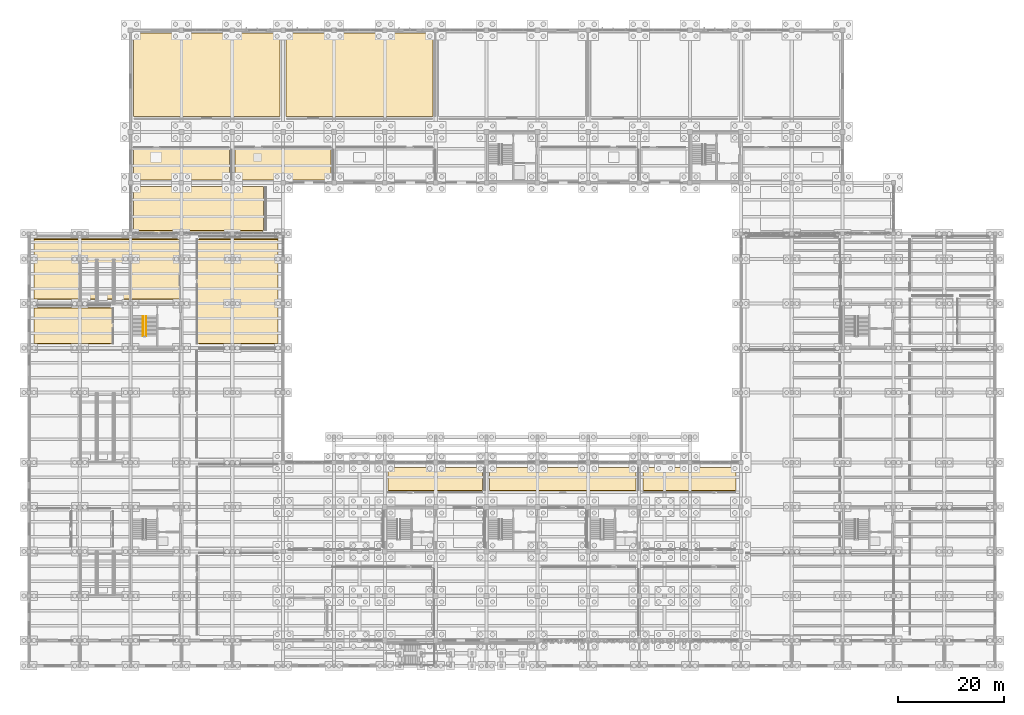
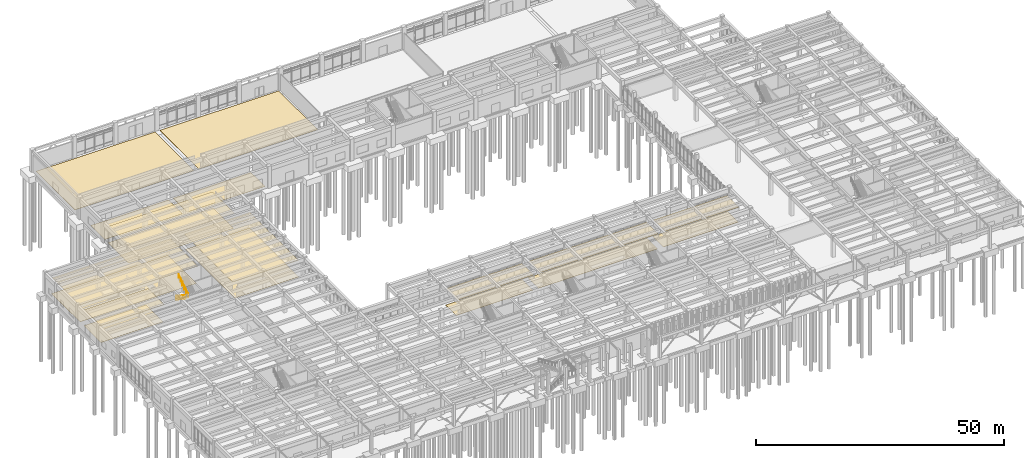
# One storey, part 93 of 102: 18 coverings, 2 railings.
"""IFC4 building model written with IfcOpenShell, lengths in metres."""

from ifc_helpers import new_model, si_unit, direction, frame, origin, origin_2d, place, context, subcontext, project, spatial, polyline, circle, outline, extrude, material, layer, layer_set, type_object, element, save


model = new_model("IFC4")

# Units and contexts
model_context = context("Model", 3, precision=1e-05, world=origin(), true_north=direction((0.0, 1.0)))
body_context = subcontext(model_context, "Body", "Model", "MODEL_VIEW")
ifc_project = project(units=[si_unit("LENGTHUNIT", "METRE"), si_unit("AREAUNIT", "SQUARE_METRE"), si_unit("VOLUMEUNIT", "CUBIC_METRE"), si_unit("PLANEANGLEUNIT", "RADIAN"), si_unit("MASSUNIT", "GRAM", prefix="KILO")], contexts=[model_context])

# Site, building, storey
site_placement = place(None, origin())
site = spatial("IfcSite", under=ifc_project, at=site_placement, CompositionType="ELEMENT")
building_placement = place(site_placement, origin())
building = spatial("IfcBuilding", under=site, at=building_placement, Name="Kolvemor Railside Polytechnic", CompositionType="ELEMENT")
storey_placement = place(building_placement, origin())
storey = spatial("IfcBuildingStorey", under=building, at=storey_placement, Name="L00", CompositionType="ELEMENT", Elevation=0.0)

# Coverings
ifc_material_1 = material(Name="Perforated acoustic mineral-fibre and timber-slat ceiling", Category="wood")
ifc_layer_1 = layer(ifc_material_1, 0.02490234375, Name="COV-CEIL-1")
ifc_layer_set_1 = layer_set([ifc_layer_1], Name="Perforated acoustic mineral-fibre and timber-slat ceiling")
covering_type_1 = type_object("IfcCoveringType", Name="COV-CEIL-1", PredefinedType="CEILING", material=ifc_layer_set_1)
covering_1_placement = place(storey_placement, frame((0.0, 0.0, 4.014892578125)))
element("IfcCovering", 1, at=covering_1_placement, inside=storey, type_object=covering_type_1, Name="Concrete and Soils Materials Laboratory Acoustic Ceiling", PredefinedType="CEILING", context=body_context, shape_type="SweptSolid", body=[
    extrude(outline(polyline([(19.8798828125, 81.719970703125), (44.1201171875, 81.719970703125), (44.1201171875, 90.449951171875), (19.8798828125, 90.449951171875), (19.8798828125, 81.719970703125)])), origin(), (0.0, 0.0, 1.0), 0.025146484375),
])
covering_2_placement = place(storey_placement, frame((0.0, 0.0, 4.014892578125)))
element("IfcCovering", 2, at=covering_2_placement, inside=storey, type_object=covering_type_1, Name="Lecture Theatre LT-3 Acoustic Ceiling", PredefinedType="CEILING", context=body_context, shape_type="SweptSolid", body=[
    extrude(outline(polyline([(0.949951171875, 69.280029296875), (28.47998046875, 69.280029296875), (28.47998046875, 80.52001953125), (0.949951171875, 80.52001953125), (0.949951171875, 69.280029296875)])), origin(), (0.0, 0.0, 1.0), 0.025146484375),
])
ifc_material_2 = material(Name="Perforated acoustic mineral-fibre and timber-slat ceiling", Category="wood")
ifc_layer_2 = layer(ifc_material_2, 0.030029296875, Name="COV-CEIL-2")
ifc_layer_set_2 = layer_set([ifc_layer_2], Name="Perforated acoustic mineral-fibre and timber-slat ceiling")
covering_type_2 = type_object("IfcCoveringType", Name="COV-CEIL-2", PredefinedType="CEILING", material=ifc_layer_set_2)
covering_3_placement = place(storey_placement, frame((0.0, 0.0, 4.010009765625)))
element("IfcCovering", 3, at=covering_3_placement, inside=storey, type_object=covering_type_2, Name="Metrology and Calibration Laboratory Acoustic Ceiling", PredefinedType="CEILING", context=body_context, shape_type="SweptSolid", body=[
    extrude(outline(polyline([(67.8798828125, 32.719970703125), (85.52001953125, 32.719970703125), (85.52001953125, 37.449951171875), (67.8798828125, 37.449951171875), (67.8798828125, 32.719970703125)])), origin(), (0.0, 0.0, 1.0), 0.030029296875),
])
ifc_material_3 = material(Name="Perforated acoustic mineral-fibre and timber-slat ceiling", Category="wood")
ifc_layer_3 = layer(ifc_material_3, 0.034912109375, Name="COV-CEIL-3")
ifc_layer_set_3 = layer_set([ifc_layer_3], Name="Perforated acoustic mineral-fibre and timber-slat ceiling")
covering_type_3 = type_object("IfcCoveringType", Name="COV-CEIL-3", PredefinedType="CEILING", material=ifc_layer_set_3)
covering_4_placement = place(storey_placement, frame((0.0, 0.0, 4.0048828125)))
element("IfcCovering", 4, at=covering_4_placement, inside=storey, type_object=covering_type_3, Name="North Lecture Staff WC L00 Acoustic Ceiling", PredefinedType="CEILING", context=body_context, shape_type="SweptSolid", body=[
    extrude(outline(polyline([(0.949951171875, 60.8798828125), (15.8798828125, 60.8798828125), (15.8798828125, 67.52001953125), (0.949951171875, 67.52001953125), (0.949951171875, 60.8798828125)])), origin(), (0.0, 0.0, 1.0), 0.03515625),
])
covering_5_placement = place(storey_placement, frame((0.0, 0.0, 4.0048828125)))
element("IfcCovering", 5, at=covering_5_placement, inside=storey, type_object=covering_type_3, Name="Exhibition and Critique Design Studio Acoustic Ceiling", PredefinedType="CEILING", context=body_context, shape_type="SweptSolid", body=[
    extrude(outline(polyline([(87.080078125, 32.719970703125), (114.52001953125, 32.719970703125), (114.52001953125, 37.449951171875), (87.080078125, 37.449951171875), (87.080078125, 32.719970703125)])), origin(), (0.0, 0.0, 1.0), 0.03515625),
])
ifc_material_4 = material(Name="Perforated acoustic mineral-fibre and timber-slat ceiling", Category="wood")
ifc_layer_4 = layer(ifc_material_4, 0.0400390625, Name="COV-CEIL-4")
ifc_layer_set_4 = layer_set([ifc_layer_4], Name="Perforated acoustic mineral-fibre and timber-slat ceiling")
covering_type_4 = type_object("IfcCoveringType", Name="COV-CEIL-4", PredefinedType="CEILING", material=ifc_layer_set_4)
covering_6_placement = place(storey_placement, frame((0.0, 0.0, 4.0)))
element("IfcCovering", 6, at=covering_6_placement, inside=storey, type_object=covering_type_4, Name="Audiovisual Control and Academic Support Room Acoustic Ceiling", PredefinedType="CEILING", context=body_context, shape_type="SweptSolid", body=[
    extrude(outline(polyline([(31.719970703125, 60.8798828125), (47.050048828125, 60.8798828125), (47.050048828125, 80.52001953125), (31.719970703125, 80.52001953125), (31.719970703125, 60.8798828125)])), origin(), (0.0, 0.0, 1.0), 0.0400390625),
])
covering_7_placement = place(storey_placement, frame((0.0, 0.0, 4.0)))
element("IfcCovering", 7, at=covering_7_placement, inside=storey, type_object=covering_type_4, Name="Campus Security and First Aid Suite Acoustic Ceiling", PredefinedType="CEILING", context=body_context, shape_type="SweptSolid", body=[
    extrude(outline(polyline([(116.080078125, 32.719970703125), (133.320068359375, 32.719970703125), (133.320068359375, 37.449951171875), (116.080078125, 37.449951171875), (116.080078125, 32.719970703125)])), origin(), (0.0, 0.0, 1.0), 0.0400390625),
])
ifc_material_5 = material(Name="Polished coral-aggregate terrazzo and laboratory epoxy flooring")
ifc_layer_5 = layer(ifc_material_5, 0.02001953125, Name="COV-FLR-1")
ifc_layer_set_5 = layer_set([ifc_layer_5], Name="Polished coral-aggregate terrazzo and laboratory epoxy flooring")
covering_type_5 = type_object("IfcCoveringType", Name="COV-FLR-1", PredefinedType="FLOORING", material=ifc_layer_set_5)
covering_8_placement = place(storey_placement, origin())
element("IfcCovering", 8, at=covering_8_placement, inside=storey, type_object=covering_type_5, Name="Concrete and Soils Materials Laboratory Floor Finish", PredefinedType="FLOORING", context=body_context, shape_type="SweptSolid", body=[
    extrude(outline(polyline([(19.75, 82.14990234375), (44.25, 82.14990234375), (44.25, 90.449951171875), (19.75, 90.449951171875), (19.75, 82.14990234375)])), origin(), (0.0, 0.0, 1.0), 0.02001953125),
])
covering_9_placement = place(storey_placement, origin())
element("IfcCovering", 9, at=covering_9_placement, inside=storey, type_object=covering_type_5, Name="Lecture Theatre LT-3 Floor Finish", PredefinedType="FLOORING", context=body_context, shape_type="SweptSolid", body=[
    extrude(outline(polyline([(0.949951171875, 69.14990234375), (28.050048828125, 69.14990234375), (28.050048828125, 80.64990234375), (0.949951171875, 80.64990234375), (0.949951171875, 69.14990234375)])), origin(), (0.0, 0.0, 1.0), 0.02001953125),
])
ifc_material_6 = material(Name="Polished coral-aggregate terrazzo and laboratory epoxy flooring")
ifc_layer_6 = layer(ifc_material_6, 0.02490234375, Name="COV-FLR-2")
ifc_layer_set_6 = layer_set([ifc_layer_6], Name="Polished coral-aggregate terrazzo and laboratory epoxy flooring")
covering_type_6 = type_object("IfcCoveringType", Name="COV-FLR-2", PredefinedType="FLOORING", material=ifc_layer_set_6)
covering_10_placement = place(storey_placement, origin())
element("IfcCovering", 10, at=covering_10_placement, inside=storey, type_object=covering_type_6, Name="Heavy Machining Engineering Workshop Floor Finish", PredefinedType="FLOORING", context=body_context, shape_type="SweptSolid", body=[
    extrude(outline(polyline([(19.75, 103.75), (47.449951171875, 103.75), (47.449951171875, 119.449951171875), (19.75, 119.449951171875), (19.75, 103.75)])), origin(), (0.0, 0.0, 1.0), 0.02490234375),
])
covering_11_placement = place(storey_placement, origin())
element("IfcCovering", 11, at=covering_11_placement, inside=storey, type_object=covering_type_6, Name="Metrology and Calibration Laboratory Floor Finish", PredefinedType="FLOORING", context=body_context, shape_type="SweptSolid", body=[
    extrude(outline(polyline([(67.75, 33.14990234375), (85.64990234375, 33.14990234375), (85.64990234375, 37.449951171875), (67.75, 37.449951171875), (67.75, 33.14990234375)])), origin(), (0.0, 0.0, 1.0), 0.02490234375),
])
ifc_material_7 = material(Name="Polished coral-aggregate terrazzo and laboratory epoxy flooring")
ifc_layer_7 = layer(ifc_material_7, 0.030029296875, Name="COV-FLR-3")
ifc_layer_set_7 = layer_set([ifc_layer_7], Name="Polished coral-aggregate terrazzo and laboratory epoxy flooring")
covering_type_7 = type_object("IfcCoveringType", Name="COV-FLR-3", PredefinedType="FLOORING", material=ifc_layer_set_7)
covering_12_placement = place(storey_placement, origin())
element("IfcCovering", 12, at=covering_12_placement, inside=storey, type_object=covering_type_7, Name="Marine Propulsion Engineering Workshop Floor Finish", PredefinedType="FLOORING", context=body_context, shape_type="SweptSolid", body=[
    extrude(outline(polyline([(48.550048828125, 103.75), (76.25, 103.75), (76.25, 119.449951171875), (48.550048828125, 119.449951171875), (48.550048828125, 103.75)])), origin(), (0.0, 0.0, 1.0), 0.030029296875),
])
covering_13_placement = place(storey_placement, origin())
element("IfcCovering", 13, at=covering_13_placement, inside=storey, type_object=covering_type_7, Name="Workshop Tool and Bar-Stock Store Floor Finish", PredefinedType="FLOORING", context=body_context, shape_type="SweptSolid", body=[
    extrude(outline(polyline([(19.75, 91.75), (37.85009765625, 91.75), (37.85009765625, 97.449951171875), (19.75, 97.449951171875), (19.75, 91.75)])), origin(), (0.0, 0.0, 1.0), 0.030029296875),
])
covering_14_placement = place(storey_placement, origin())
element("IfcCovering", 14, at=covering_14_placement, inside=storey, type_object=covering_type_7, Name="North Lecture Staff WC L00 Floor Finish", PredefinedType="FLOORING", context=body_context, shape_type="SweptSolid", body=[
    extrude(outline(polyline([(0.949951171875, 60.75), (15.449951171875, 60.75), (15.449951171875, 67.64990234375), (0.949951171875, 67.64990234375), (0.949951171875, 60.75)])), origin(), (0.0, 0.0, 1.0), 0.030029296875),
])
covering_15_placement = place(storey_placement, origin())
element("IfcCovering", 15, at=covering_15_placement, inside=storey, type_object=covering_type_7, Name="Exhibition and Critique Design Studio Floor Finish", PredefinedType="FLOORING", context=body_context, shape_type="SweptSolid", body=[
    extrude(outline(polyline([(86.949951171875, 33.14990234375), (114.64990234375, 33.14990234375), (114.64990234375, 37.449951171875), (86.949951171875, 37.449951171875), (86.949951171875, 33.14990234375)])), origin(), (0.0, 0.0, 1.0), 0.030029296875),
])
ifc_material_8 = material(Name="Polished coral-aggregate terrazzo and laboratory epoxy flooring")
ifc_layer_8 = layer(ifc_material_8, 0.034912109375, Name="COV-FLR-4")
ifc_layer_set_8 = layer_set([ifc_layer_8], Name="Polished coral-aggregate terrazzo and laboratory epoxy flooring")
covering_type_8 = type_object("IfcCoveringType", Name="COV-FLR-4", PredefinedType="FLOORING", material=ifc_layer_set_8)
covering_16_placement = place(storey_placement, origin())
element("IfcCovering", 16, at=covering_16_placement, inside=storey, type_object=covering_type_8, Name="Central Chiller Mechanical Plant Floor Finish", PredefinedType="FLOORING", context=body_context, shape_type="SweptSolid", body=[
    extrude(outline(polyline([(38.949951171875, 91.75), (57.050048828125, 91.75), (57.050048828125, 97.449951171875), (38.949951171875, 97.449951171875), (38.949951171875, 91.75)])), origin(), (0.0, 0.0, 1.0), 0.034912109375),
])
covering_17_placement = place(storey_placement, origin())
element("IfcCovering", 17, at=covering_17_placement, inside=storey, type_object=covering_type_8, Name="Audiovisual Control and Academic Support Room Floor Finish", PredefinedType="FLOORING", context=body_context, shape_type="SweptSolid", body=[
    extrude(outline(polyline([(32.14990234375, 60.75), (47.050048828125, 60.75), (47.050048828125, 80.64990234375), (32.14990234375, 80.64990234375), (32.14990234375, 60.75)])), origin(), (0.0, 0.0, 1.0), 0.034912109375),
])
covering_18_placement = place(storey_placement, origin())
element("IfcCovering", 18, at=covering_18_placement, inside=storey, type_object=covering_type_8, Name="Campus Security and First Aid Suite Floor Finish", PredefinedType="FLOORING", context=body_context, shape_type="SweptSolid", body=[
    extrude(outline(polyline([(115.949951171875, 33.14990234375), (133.449951171875, 33.14990234375), (133.449951171875, 37.449951171875), (115.949951171875, 37.449951171875), (115.949951171875, 33.14990234375)])), origin(), (0.0, 0.0, 1.0), 0.034912109375),
])

# Railings
ifc_material_9 = material(Name="Brushed AISI 316 stainless-steel stair handrail", Category="steel")
railing_type = type_object("IfcRailingType", Name="RLG-HANDRAIL-920", PredefinedType="HANDRAIL", material=ifc_material_9)
railing_1_placement = place(storey_placement, frame((21.5400390625, 66.02001953125, 0.168701171875)))
element("IfcRailing", 19, at=railing_1_placement, inside=storey, type_object=railing_type, Name="ST-5 Flight 1 Handrail L00", PredefinedType="HANDRAIL", context=body_context, shape_type="SweptSolid", body=[
    extrude(circle(Radius=0.02392578125, at=origin_2d()), frame((0.0, -0.045654296875, 0.926513671875), z_axis=(0.0, -0.830909170722, 0.55640807867), x_axis=(1.0, 0.0, 0.0)), (0.0, 0.0, 1.0), 4.439208984375),
    extrude(circle(Radius=0.02099609375, at=origin_2d()), origin(), (0.0, 0.0, 1.0), 0.85693359375),
    extrude(circle(Radius=0.02099609375, at=origin_2d()), frame((0.0, -0.756103515625, 0.50634765625)), (0.0, 0.0, 1.0), 0.85693359375),
    extrude(circle(Radius=0.02099609375, at=origin_2d()), frame((0.0, -1.511962890625, 1.012451171875)), (0.0, 0.0, 1.0), 0.85693359375),
    extrude(circle(Radius=0.02099609375, at=origin_2d()), frame((0.0, -2.26806640625, 1.518798828125)), (0.0, 0.0, 1.0), 0.85693359375),
    extrude(circle(Radius=0.02099609375, at=origin_2d()), frame((0.0, -3.02392578125, 2.02490234375)), (0.0, 0.0, 1.0), 0.85693359375),
    extrude(circle(Radius=0.02099609375, at=origin_2d()), frame((0.0, -3.780029296875, 2.53125)), (0.0, 0.0, 1.0), 0.85693359375),
])
railing_2_placement = place(storey_placement, frame((22.1201171875, 62.239990234375, 2.86865234375)))
element("IfcRailing", 20, at=railing_2_placement, inside=storey, type_object=railing_type, Name="ST-5 Flight 2 Handrail L00", PredefinedType="HANDRAIL", context=body_context, shape_type="SweptSolid", body=[
    extrude(circle(Radius=0.02392578125, at=origin_2d()), frame((0.0, 0.045654296875, 0.926513671875), z_axis=(0.0, 0.830909170722, 0.55640807867), x_axis=(-1.0, 0.0, 0.0)), (0.0, 0.0, 1.0), 4.439208984375),
    extrude(circle(Radius=0.02099609375, at=origin_2d()), origin(), (0.0, 0.0, 1.0), 0.85693359375),
    extrude(circle(Radius=0.02099609375, at=origin_2d()), frame((0.0, 0.756103515625, 0.50634765625)), (0.0, 0.0, 1.0), 0.85693359375),
    extrude(circle(Radius=0.02099609375, at=origin_2d()), frame((0.0, 1.511962890625, 1.012451171875)), (0.0, 0.0, 1.0), 0.85693359375),
    extrude(circle(Radius=0.02099609375, at=origin_2d()), frame((0.0, 2.26806640625, 1.518798828125)), (0.0, 0.0, 1.0), 0.85693359375),
    extrude(circle(Radius=0.02099609375, at=origin_2d()), frame((0.0, 3.02392578125, 2.02490234375)), (0.0, 0.0, 1.0), 0.85693359375),
    extrude(circle(Radius=0.02099609375, at=origin_2d()), frame((0.0, 3.780029296875, 2.53125)), (0.0, 0.0, 1.0), 0.85693359375),
])

save(model, "model.ifc")
